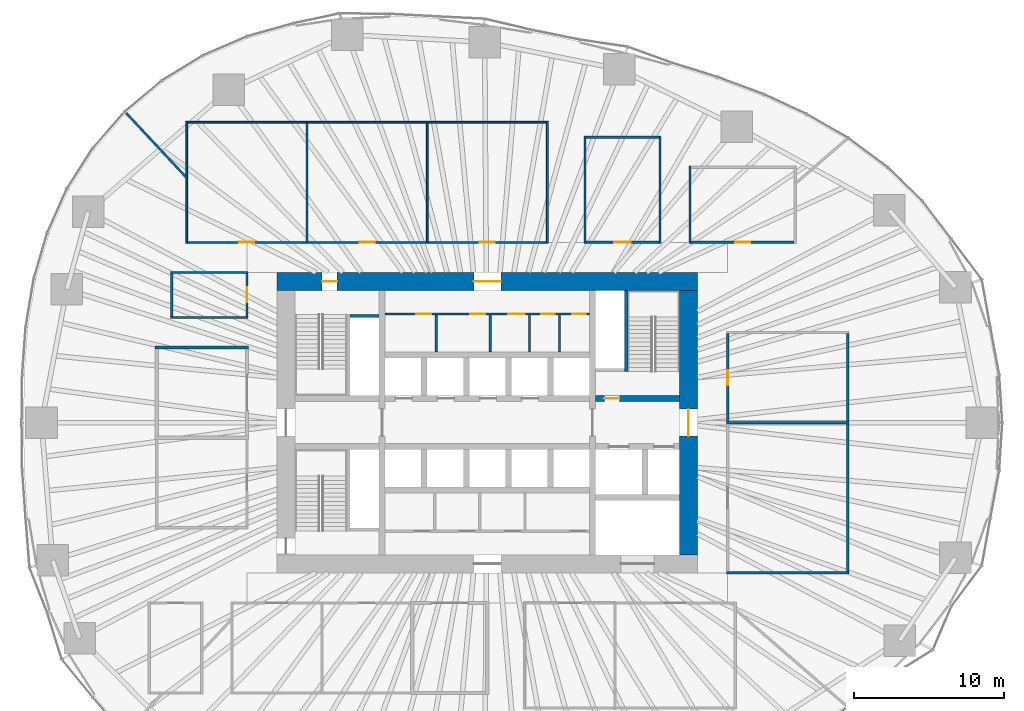
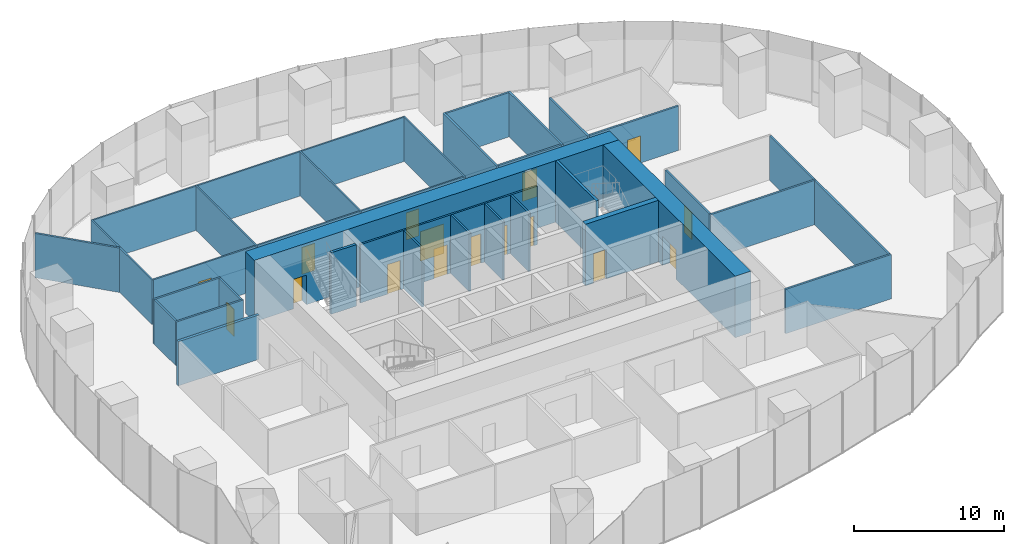
# One storey, part 11 of 20: 37 walls, 16 doors, 16 openings.
"""IFC4 building model written with IfcOpenShell, lengths in metres."""

from ifc_helpers import new_model, si_unit, direction, frame, frame_2d, origin, place, context, subcontext, project, spatial, rectangle, extrude, material, layer, layer_set, type_object, element, fill, save


model = new_model("IFC4")

# Units and contexts
model_context = context("Model", 3, precision=1e-05, world=origin(), true_north=direction((0.0, 1.0)))
body_context = subcontext(model_context, "Body", "Model", "MODEL_VIEW")
ifc_project = project(units=[si_unit("LENGTHUNIT", "METRE"), si_unit("AREAUNIT", "SQUARE_METRE"), si_unit("VOLUMEUNIT", "CUBIC_METRE"), si_unit("PLANEANGLEUNIT", "RADIAN"), si_unit("MASSUNIT", "GRAM", prefix="KILO")], contexts=[model_context])

# Site, building, storey
site_placement = place(None, origin())
site = spatial("IfcSite", under=ifc_project, at=site_placement, CompositionType="ELEMENT")
building_placement = place(site_placement, origin())
building = spatial("IfcBuilding", under=site, at=building_placement, Name="Ghaith Harvest Tower", CompositionType="ELEMENT")
storey_placement = place(building_placement, frame((0.0, 0.0, 35.0)))
storey = spatial("IfcBuildingStorey", under=building, at=storey_placement, Name="L07", CompositionType="ELEMENT", Elevation=35.0)

# Wall
ifc_material_1 = material(Name="Concrete blockwork, 1-hour", Category="masonry")
ifc_layer_1 = layer(ifc_material_1, 0.215087890625)
ifc_layer_set_1 = layer_set([ifc_layer_1], Name="BLOCKWORK WALL 215")
wall_type_1 = type_object("IfcWallType", Name="BLOCKWORK WALL 215", PredefinedType="PARTITIONING", material=ifc_layer_set_1)
wall_1_placement = place(storey_placement, frame((-15.892578125, 5.0, 0.0), z_axis=(0.0, 0.0, 1.0), x_axis=(-1.0, 0.0, 0.0)))
element("IfcWall", 1, at=wall_1_placement, inside=storey, type_object=wall_type_1, Name="Partition L07 row W6 cross wall 3", PredefinedType="PARTITIONING", context=body_context, shape_type="SweptSolid", body=[
    extrude(rectangle(XDim=6.21484375, YDim=0.215087890625, at=frame_2d((3.107421875, 0.0))), origin(), (0.0, 0.0, 1.0), 3.60009765625),
])

# Wall, openings, doors
ifc_material_2 = material(Name="Concrete blockwork, fair-faced", Category="masonry")
ifc_layer_2 = layer(ifc_material_2, 0.139892578125)
ifc_layer_set_2 = layer_set([ifc_layer_2], Name="CORE PARTITION 140")
wall_type_2 = type_object("IfcWallType", Name="CORE PARTITION 140", PredefinedType="PARTITIONING", material=ifc_layer_set_2)
wall_2_placement = place(storey_placement, frame((-6.800048828125, 7.22998046875, 0.0), z_axis=(0.0, 0.0, 1.0), x_axis=(1.0, 0.0, 0.0)))
wall_2 = element("IfcWall", 2, at=wall_2_placement, inside=storey, type_object=wall_type_2, Name="Core partition L07", PredefinedType="PARTITIONING", context=body_context, shape_type="SweptSolid", body=[
    extrude(rectangle(XDim=13.60009765625, YDim=0.139892578125, at=frame_2d((6.800048828125, 0.0))), origin(), (0.0, 0.0, 1.0), 4.75),
])
opening_1_placement = place(wall_2_placement, frame((2.080078125, 0.0, 0.0)))
opening_1 = element("IfcOpeningElement", 3, at=opening_1_placement, cuts=wall_2, Name="Opening 07-008", PredefinedType="OPENING", context=body_context, shape_type="SweptSolid", body=[
    extrude(rectangle(XDim=1.0, YDim=2.39990234375, at=frame_2d((0.5, 1.199951171875))), frame((0.0, 0.080078125, 0.0), z_axis=(0.0, -1.0, 0.0), x_axis=(1.0, 0.0, 0.0)), (0.0, 0.0, 1.0), 0.159912109375),
])
opening_2_placement = place(wall_2_placement, frame((5.679931640625, 0.0, 0.0)))
opening_2 = element("IfcOpeningElement", 4, at=opening_2_placement, cuts=wall_2, Name="Opening 07-009", PredefinedType="OPENING", context=body_context, shape_type="SweptSolid", body=[
    extrude(rectangle(XDim=1.0, YDim=2.39990234375, at=frame_2d((0.5, 1.199951171875))), frame((0.0, 0.080078125, 0.0), z_axis=(0.0, -1.0, 0.0), x_axis=(1.0, 0.0, 0.0)), (0.0, 0.0, 1.0), 0.159912109375),
])
opening_3_placement = place(wall_2_placement, frame((8.179931640625, 0.0, 0.0)))
opening_3 = element("IfcOpeningElement", 5, at=opening_3_placement, cuts=wall_2, Name="Opening 07-010", PredefinedType="OPENING", context=body_context, shape_type="SweptSolid", body=[
    extrude(rectangle(XDim=1.10009765625, YDim=2.39990234375, at=frame_2d((0.550048828125, 1.199951171875))), frame((0.0, 0.080078125, 0.0), z_axis=(0.0, -1.0, 0.0), x_axis=(1.0, 0.0, 0.0)), (0.0, 0.0, 1.0), 0.159912109375),
])
opening_4_placement = place(wall_2_placement, frame((10.3798828125, 0.0, 0.0)))
opening_4 = element("IfcOpeningElement", 6, at=opening_4_placement, cuts=wall_2, Name="Opening 07-011", PredefinedType="OPENING", context=body_context, shape_type="SweptSolid", body=[
    extrude(rectangle(XDim=0.89990234375, YDim=2.39990234375, at=frame_2d((0.449951171875, 1.199951171875))), frame((0.0, 0.080078125, 0.0), z_axis=(0.0, -1.0, 0.0), x_axis=(1.0, 0.0, 0.0)), (0.0, 0.0, 1.0), 0.159912109375),
])
opening_5_placement = place(wall_2_placement, frame((12.449951171875, 0.0, 0.0)))
opening_5 = element("IfcOpeningElement", 7, at=opening_5_placement, cuts=wall_2, Name="Opening 07-012", PredefinedType="OPENING", context=body_context, shape_type="SweptSolid", body=[
    extrude(rectangle(XDim=0.89990234375, YDim=2.39990234375, at=frame_2d((0.449951171875, 1.199951171875))), frame((0.0, 0.080078125, 0.0), z_axis=(0.0, -1.0, 0.0), x_axis=(1.0, 0.0, 0.0)), (0.0, 0.0, 1.0), 0.159912109375),
])
ifc_material_3 = material(Name="Steel fire door", Category="steel")
door_type_1 = type_object("IfcDoorType", Name="D3 FD90 1000x2400", OperationType="SINGLE_SWING_LEFT", PredefinedType="DOOR", material=ifc_material_3)
door_1_placement = place(opening_1_placement, origin())
door_1 = element("IfcDoor", 8, at=door_1_placement, inside=storey, type_object=door_type_1, Name="Male WC door", OperationType="SINGLE_SWING_LEFT", OverallHeight=2.39990234375, OverallWidth=1.0, PredefinedType="DOOR", context=body_context, shape_type="SweptSolid", body=[
    extrude(rectangle(XDim=1.0, YDim=2.39990234375, at=frame_2d((0.5, 1.199951171875))), frame((0.0, 0.02490234375, 0.0), z_axis=(0.0, -1.0, 0.0), x_axis=(1.0, 0.0, 0.0)), (0.0, 0.0, 1.0), 0.050048828125),
])
fill(opening_1, door_1)
door_2_placement = place(opening_2_placement, origin())
door_2 = element("IfcDoor", 9, at=door_2_placement, inside=storey, type_object=door_type_1, Name="Female WC door", OperationType="SINGLE_SWING_LEFT", OverallHeight=2.39990234375, OverallWidth=1.0, PredefinedType="DOOR", context=body_context, shape_type="SweptSolid", body=[
    extrude(rectangle(XDim=1.0, YDim=2.39990234375, at=frame_2d((0.5, 1.199951171875))), frame((0.0, 0.02490234375, 0.0), z_axis=(0.0, -1.0, 0.0), x_axis=(1.0, 0.0, 0.0)), (0.0, 0.0, 1.0), 0.050048828125),
])
fill(opening_2, door_2)
ifc_material_4 = material(Name="Steel fire door", Category="steel")
door_type_2 = type_object("IfcDoorType", Name="D5 FD90 900x2400", OperationType="SINGLE_SWING_LEFT", PredefinedType="DOOR", material=ifc_material_4)
door_3_placement = place(opening_4_placement, origin())
door_3 = element("IfcDoor", 10, at=door_3_placement, inside=storey, type_object=door_type_2, Name="Store door", OperationType="SINGLE_SWING_RIGHT", OverallHeight=2.39990234375, OverallWidth=0.89990234375, PredefinedType="DOOR", context=body_context, shape_type="SweptSolid", body=[
    extrude(rectangle(XDim=0.89990234375, YDim=2.39990234375, at=frame_2d((0.449951171875, 1.199951171875))), frame((0.0, 0.02490234375, 0.0), z_axis=(0.0, -1.0, 0.0), x_axis=(1.0, 0.0, 0.0)), (0.0, 0.0, 1.0), 0.050048828125),
])
fill(opening_4, door_3)
door_4_placement = place(opening_5_placement, origin())
door_4 = element("IfcDoor", 11, at=door_4_placement, inside=storey, type_object=door_type_2, Name="Cleaner's store door", OperationType="SINGLE_SWING_RIGHT", OverallHeight=2.39990234375, OverallWidth=0.89990234375, PredefinedType="DOOR", context=body_context, shape_type="SweptSolid", body=[
    extrude(rectangle(XDim=0.89990234375, YDim=2.39990234375, at=frame_2d((0.449951171875, 1.199951171875))), frame((0.0, 0.02490234375, 0.0), z_axis=(0.0, -1.0, 0.0), x_axis=(1.0, 0.0, 0.0)), (0.0, 0.0, 1.0), 0.050048828125),
])
fill(opening_5, door_4)
ifc_material_5 = material(Name="Steel fire door", Category="steel")
door_type_3 = type_object("IfcDoorType", Name="D9 FD90 1100x2400", OperationType="SINGLE_SWING_LEFT", PredefinedType="DOOR", material=ifc_material_5)
door_5_placement = place(opening_3_placement, origin())
door_5 = element("IfcDoor", 12, at=door_5_placement, inside=storey, type_object=door_type_3, Name="Accessible WC door", OperationType="SINGLE_SWING_RIGHT", OverallHeight=2.39990234375, OverallWidth=1.10009765625, PredefinedType="DOOR", context=body_context, shape_type="SweptSolid", body=[
    extrude(rectangle(XDim=1.10009765625, YDim=2.39990234375, at=frame_2d((0.550048828125, 1.199951171875))), frame((0.0, 0.02490234375, 0.0), z_axis=(0.0, -1.0, 0.0), x_axis=(1.0, 0.0, 0.0)), (0.0, 0.0, 1.0), 0.050048828125),
])
fill(opening_3, door_5)

# Walls
for number, where, z_axis, x_axis, name in (
    (13, (-3.39990234375, 4.699951171875, 0.0), (0.0, 0.0, 1.0), (0.0, 1.0, 0.0), "Core partition L07"),
    (14, (0.199951171875, 4.699951171875, 0.0), (0.0, 0.0, 1.0), (0.0, 1.0, 0.0), "Core partition L07"),
    (15, (2.800048828125, 4.699951171875, 0.0), (0.0, 0.0, 1.0), (0.0, 1.0, 0.0), "Core partition L07"),
    (16, (4.800048828125, 4.699951171875, 0.0), (0.0, 0.0, 1.0), (0.0, 1.0, 0.0), "Core partition L07"),
):
    element("IfcWall", number, at=place(storey_placement, frame(where, z_axis=z_axis, x_axis=x_axis)), inside=storey, type_object=wall_type_2, Name=name, PredefinedType="PARTITIONING", context=body_context, shape_type="SweptSolid", body=[
        extrude(rectangle(XDim=2.4599609375, YDim=0.139892578125, at=frame_2d((1.22998046875, 0.0))), origin(), (0.0, 0.0, 1.0), 4.75),
    ])

# Wall, openings, doors
ifc_material_6 = material(Name="Concrete C70/85", Category="concrete")
ifc_layer_3 = layer(ifc_material_6, 1.199951171875)
ifc_layer_set_3 = layer_set([ifc_layer_3], Name="CORE WALL CW1200")
wall_type_3 = type_object("IfcWallType", Name="CORE WALL CW1200", PredefinedType="SHEAR", material=ifc_layer_set_3)
wall_3_placement = place(storey_placement, frame((14.0, 9.39990234375, 0.0), z_axis=(0.0, 0.0, 1.0), x_axis=(-1.0, 0.0, 0.0)))
wall_3 = element("IfcWall", 17, at=wall_3_placement, inside=storey, type_object=wall_type_3, Name="Core wall N L07", PredefinedType="SHEAR", context=body_context, shape_type="SweptSolid", body=[
    extrude(rectangle(XDim=28.0, YDim=1.199951171875, at=frame_2d((14.0, 0.0))), origin(), (0.0, 0.0, 1.0), 5.0),
])
opening_6_placement = place(wall_3_placement, frame((24.0, 0.0, 0.0)))
opening_6 = element("IfcOpeningElement", 18, at=opening_6_placement, cuts=wall_3, Name="Opening 07-005", PredefinedType="OPENING", context=body_context, shape_type="SweptSolid", body=[
    extrude(rectangle(XDim=1.0, YDim=2.39990234375, at=frame_2d((0.5, 1.199951171875))), frame((0.0, 0.60986328125, 0.0), z_axis=(0.0, -1.0, 0.0), x_axis=(1.0, 0.0, 0.0)), (0.0, 0.0, 1.0), 1.219970703125),
])
opening_7_placement = place(wall_3_placement, frame((13.10009765625, 0.0, 0.0)))
opening_7 = element("IfcOpeningElement", 19, at=opening_7_placement, cuts=wall_3, Name="Opening 07-017", PredefinedType="OPENING", context=body_context, shape_type="SweptSolid", body=[
    extrude(rectangle(XDim=1.800048828125, YDim=2.39990234375, at=frame_2d((0.89990234375, 1.199951171875))), frame((0.0, 0.60986328125, 0.0), z_axis=(0.0, -1.0, 0.0), x_axis=(1.0, 0.0, 0.0)), (0.0, 0.0, 1.0), 1.219970703125),
])
door_6_placement = place(opening_6_placement, origin())
door_6 = element("IfcDoor", 20, at=door_6_placement, inside=storey, type_object=door_type_1, Name="Stair ST1 door", OperationType="SINGLE_SWING_RIGHT", OverallHeight=2.39990234375, OverallWidth=1.0, PredefinedType="DOOR", context=body_context, shape_type="SweptSolid", body=[
    extrude(rectangle(XDim=1.0, YDim=2.39990234375, at=frame_2d((0.5, 1.199951171875))), frame((0.0, 0.02490234375, 0.0), z_axis=(0.0, -1.0, 0.0), x_axis=(1.0, 0.0, 0.0)), (0.0, 0.0, 1.0), 0.050048828125),
])
fill(opening_6, door_6)
ifc_material_7 = material(Name="Steel fire door", Category="steel")
door_type_4 = type_object("IfcDoorType", Name="D4 FD90 PAIR 1800x2400", OperationType="DOUBLE_DOOR_SINGLE_SWING", PredefinedType="DOOR", material=ifc_material_7)
door_7_placement = place(opening_7_placement, origin())
door_7 = element("IfcDoor", 21, at=door_7_placement, inside=storey, type_object=door_type_4, Name="Core service corridor doors", OperationType="DOUBLE_DOOR_SINGLE_SWING", OverallHeight=2.39990234375, OverallWidth=1.800048828125, PredefinedType="DOOR", context=body_context, shape_type="SweptSolid", body=[
    extrude(rectangle(XDim=1.800048828125, YDim=2.39990234375, at=frame_2d((0.89990234375, 1.199951171875))), frame((0.0, 0.02490234375, 0.0), z_axis=(0.0, -1.0, 0.0), x_axis=(1.0, 0.0, 0.0)), (0.0, 0.0, 1.0), 0.050048828125),
])
fill(opening_7, door_7)

# Wall, opening, door
wall_4_placement = place(storey_placement, frame((13.39990234375, -8.800048828125, 0.0), z_axis=(0.0, 0.0, 1.0), x_axis=(0.0, 1.0, 0.0)))
wall_4 = element("IfcWall", 22, at=wall_4_placement, inside=storey, type_object=wall_type_3, Name="Core wall E L07", PredefinedType="SHEAR", context=body_context, shape_type="SweptSolid", body=[
    extrude(rectangle(XDim=17.60009765625, YDim=1.199951171875, at=frame_2d((8.800048828125, 0.0))), origin(), (0.0, 0.0, 1.0), 5.0),
])
opening_8_placement = place(wall_4_placement, frame((7.89990234375, 0.0, 0.0)))
opening_8 = element("IfcOpeningElement", 23, at=opening_8_placement, cuts=wall_4, Name="Opening 07-002", PredefinedType="OPENING", context=body_context, shape_type="SweptSolid", body=[
    extrude(rectangle(XDim=1.800048828125, YDim=2.39990234375, at=frame_2d((0.89990234375, 1.199951171875))), frame((0.0, 0.60986328125, 0.0), z_axis=(0.0, -1.0, 0.0), x_axis=(1.0, 0.0, 0.0)), (0.0, 0.0, 1.0), 1.219970703125),
])
door_8_placement = place(opening_8_placement, origin())
door_8 = element("IfcDoor", 24, at=door_8_placement, inside=storey, type_object=door_type_4, Name="Fire-fighting lobby doors", OperationType="DOUBLE_DOOR_SINGLE_SWING", OverallHeight=2.39990234375, OverallWidth=1.800048828125, PredefinedType="DOOR", context=body_context, shape_type="SweptSolid", body=[
    extrude(rectangle(XDim=1.800048828125, YDim=2.39990234375, at=frame_2d((0.89990234375, 1.199951171875))), frame((0.0, 0.02490234375, 0.0), z_axis=(0.0, -1.0, 0.0), x_axis=(1.0, 0.0, 0.0)), (0.0, 0.0, 1.0), 0.050048828125),
])
fill(opening_8, door_8)

# Walls
ifc_material_8 = material(Name="Insulated food-grade panel", Category="steel")
ifc_layer_4 = layer(ifc_material_8, 0.1201171875)
ifc_layer_set_4 = layer_set([ifc_layer_4], Name="INSULATED PANEL WALL 120")
wall_type_4 = type_object("IfcWallType", Name="INSULATED PANEL WALL 120", PredefinedType="PARTITIONING", material=ifc_layer_set_4)
for number, where, z_axis, x_axis, name in (
    (25, (-20.0, 11.93994140625, 0.0), (0.0, 0.0, 1.0), (0.0, 1.0, 0.0), "Partition L07 row N1 cross wall 1"),
    (26, (-12.0, 11.93994140625, 0.0), (0.0, 0.0, 1.0), (0.0, 1.0, 0.0), "Partition L07 row N1 cross wall 2"),
    (27, (-4.0, 11.93994140625, 0.0), (0.0, 0.0, 1.0), (0.0, 1.0, 0.0), "Partition L07 row N1 cross wall 3"),
    (28, (4.0, 11.93994140625, 0.0), (0.0, 0.0, 1.0), (0.0, 1.0, 0.0), "Partition L07 row N1 cross wall 4"),
):
    element("IfcWall", number, at=place(storey_placement, frame(where, z_axis=z_axis, x_axis=x_axis)), inside=storey, type_object=wall_type_4, Name=name, PredefinedType="PARTITIONING", context=body_context, shape_type="SweptSolid", body=[
        extrude(rectangle(XDim=8.1201171875, YDim=0.1201171875, at=frame_2d((4.06005859375, 0.0))), origin(), (0.0, 0.0, 1.0), 3.60009765625),
    ])

# Wall, opening, door
wall_5_placement = place(storey_placement, frame((-19.93994140625, 12.0, 0.0), z_axis=(0.0, 0.0, 1.0), x_axis=(1.0, 0.0, 0.0)))
wall_5 = element("IfcWall", 29, at=wall_5_placement, inside=storey, type_object=wall_type_4, Name="Partition L07-01", PredefinedType="PARTITIONING", context=body_context, shape_type="SweptSolid", body=[
    extrude(rectangle(XDim=7.8798828125, YDim=0.1201171875, at=frame_2d((3.93994140625, 0.0))), origin(), (0.0, 0.0, 1.0), 3.60009765625),
])
opening_9_placement = place(wall_5_placement, frame((3.43994140625, 0.0, 0.0)))
opening_9 = element("IfcOpeningElement", 30, at=opening_9_placement, cuts=wall_5, Name="Opening 07-026", PredefinedType="OPENING", context=body_context, shape_type="SweptSolid", body=[
    extrude(rectangle(XDim=1.0, YDim=2.199951171875, at=frame_2d((0.5, 1.10009765625))), frame((0.0, 0.070068359375, 0.0), z_axis=(0.0, -1.0, 0.0), x_axis=(1.0, 0.0, 0.0)), (0.0, 0.0, 1.0), 0.14013671875),
])
ifc_material_9 = material(Name="Timber door", Category="wood")
door_type_5 = type_object("IfcDoorType", Name="D1 SINGLE 1000x2200", OperationType="SINGLE_SWING_LEFT", PredefinedType="DOOR", material=ifc_material_9)
door_9_placement = place(opening_9_placement, origin())
door_9 = element("IfcDoor", 31, at=door_9_placement, inside=storey, type_object=door_type_5, Name="Propagation room door", OperationType="SINGLE_SWING_LEFT", OverallHeight=2.199951171875, OverallWidth=1.0, PredefinedType="DOOR", context=body_context, shape_type="SweptSolid", body=[
    extrude(rectangle(XDim=1.0, YDim=2.199951171875, at=frame_2d((0.5, 1.10009765625))), frame((0.0, 0.02490234375, 0.0), z_axis=(0.0, -1.0, 0.0), x_axis=(1.0, 0.0, 0.0)), (0.0, 0.0, 1.0), 0.050048828125),
])
fill(opening_9, door_9)

# Wall
wall_6_placement = place(storey_placement, frame((-19.93994140625, 20.0, 0.0), z_axis=(0.0, 0.0, 1.0), x_axis=(1.0, 0.0, 0.0)))
element("IfcWall", 32, at=wall_6_placement, inside=storey, type_object=wall_type_4, Name="Partition L07-01", PredefinedType="PARTITIONING", context=body_context, shape_type="SweptSolid", body=[
    extrude(rectangle(XDim=7.8798828125, YDim=0.1201171875, at=frame_2d((3.93994140625, 0.0))), origin(), (0.0, 0.0, 1.0), 3.60009765625),
])

# Wall, opening, door
wall_7_placement = place(storey_placement, frame((-11.93994140625, 12.0, 0.0), z_axis=(0.0, 0.0, 1.0), x_axis=(1.0, 0.0, 0.0)))
wall_7 = element("IfcWall", 33, at=wall_7_placement, inside=storey, type_object=wall_type_4, Name="Partition L07-02", PredefinedType="PARTITIONING", context=body_context, shape_type="SweptSolid", body=[
    extrude(rectangle(XDim=7.8798828125, YDim=0.1201171875, at=frame_2d((3.93994140625, 0.0))), origin(), (0.0, 0.0, 1.0), 3.60009765625),
])
opening_10_placement = place(wall_7_placement, frame((3.43994140625, 0.0, 0.0)))
opening_10 = element("IfcOpeningElement", 34, at=opening_10_placement, cuts=wall_7, Name="Opening 07-027", PredefinedType="OPENING", context=body_context, shape_type="SweptSolid", body=[
    extrude(rectangle(XDim=1.0, YDim=2.199951171875, at=frame_2d((0.5, 1.10009765625))), frame((0.0, 0.070068359375, 0.0), z_axis=(0.0, -1.0, 0.0), x_axis=(1.0, 0.0, 0.0)), (0.0, 0.0, 1.0), 0.14013671875),
])
door_10_placement = place(opening_10_placement, origin())
door_10 = element("IfcDoor", 35, at=door_10_placement, inside=storey, type_object=door_type_5, Name="Propagation room door", OperationType="SINGLE_SWING_LEFT", OverallHeight=2.199951171875, OverallWidth=1.0, PredefinedType="DOOR", context=body_context, shape_type="SweptSolid", body=[
    extrude(rectangle(XDim=1.0, YDim=2.199951171875, at=frame_2d((0.5, 1.10009765625))), frame((0.0, 0.02490234375, 0.0), z_axis=(0.0, -1.0, 0.0), x_axis=(1.0, 0.0, 0.0)), (0.0, 0.0, 1.0), 0.050048828125),
])
fill(opening_10, door_10)

# Wall
wall_8_placement = place(storey_placement, frame((-11.93994140625, 20.0, 0.0), z_axis=(0.0, 0.0, 1.0), x_axis=(1.0, 0.0, 0.0)))
element("IfcWall", 36, at=wall_8_placement, inside=storey, type_object=wall_type_4, Name="Partition L07-02", PredefinedType="PARTITIONING", context=body_context, shape_type="SweptSolid", body=[
    extrude(rectangle(XDim=7.8798828125, YDim=0.1201171875, at=frame_2d((3.93994140625, 0.0))), origin(), (0.0, 0.0, 1.0), 3.60009765625),
])

# Wall, opening, door
wall_9_placement = place(storey_placement, frame((-3.93994140625, 12.0, 0.0), z_axis=(0.0, 0.0, 1.0), x_axis=(1.0, 0.0, 0.0)))
wall_9 = element("IfcWall", 37, at=wall_9_placement, inside=storey, type_object=wall_type_4, Name="Partition L07-03", PredefinedType="PARTITIONING", context=body_context, shape_type="SweptSolid", body=[
    extrude(rectangle(XDim=7.8798828125, YDim=0.1201171875, at=frame_2d((3.93994140625, 0.0))), origin(), (0.0, 0.0, 1.0), 3.60009765625),
])
opening_11_placement = place(wall_9_placement, frame((3.43994140625, 0.0, 0.0)))
opening_11 = element("IfcOpeningElement", 38, at=opening_11_placement, cuts=wall_9, Name="Opening 07-028", PredefinedType="OPENING", context=body_context, shape_type="SweptSolid", body=[
    extrude(rectangle(XDim=1.0, YDim=2.199951171875, at=frame_2d((0.5, 1.10009765625))), frame((0.0, 0.070068359375, 0.0), z_axis=(0.0, -1.0, 0.0), x_axis=(1.0, 0.0, 0.0)), (0.0, 0.0, 1.0), 0.14013671875),
])
door_11_placement = place(opening_11_placement, origin())
door_11 = element("IfcDoor", 39, at=door_11_placement, inside=storey, type_object=door_type_5, Name="Propagation room door", OperationType="SINGLE_SWING_LEFT", OverallHeight=2.199951171875, OverallWidth=1.0, PredefinedType="DOOR", context=body_context, shape_type="SweptSolid", body=[
    extrude(rectangle(XDim=1.0, YDim=2.199951171875, at=frame_2d((0.5, 1.10009765625))), frame((0.0, 0.02490234375, 0.0), z_axis=(0.0, -1.0, 0.0), x_axis=(1.0, 0.0, 0.0)), (0.0, 0.0, 1.0), 0.050048828125),
])
fill(opening_11, door_11)

# Walls
wall_10_placement = place(storey_placement, frame((-3.93994140625, 20.0, 0.0), z_axis=(0.0, 0.0, 1.0), x_axis=(1.0, 0.0, 0.0)))
element("IfcWall", 40, at=wall_10_placement, inside=storey, type_object=wall_type_4, Name="Partition L07-03", PredefinedType="PARTITIONING", context=body_context, shape_type="SweptSolid", body=[
    extrude(rectangle(XDim=7.8798828125, YDim=0.1201171875, at=frame_2d((3.93994140625, 0.0))), origin(), (0.0, 0.0, 1.0), 3.60009765625),
])
ifc_material_10 = material(Name="Gypsum board on steel studs", Category="steel")
ifc_layer_5 = layer(ifc_material_10, 0.14990234375)
ifc_layer_set_5 = layer_set([ifc_layer_5], Name="PARTITION 150")
wall_type_5 = type_object("IfcWallType", Name="PARTITION 150", PredefinedType="PARTITIONING", material=ifc_layer_set_5)
for number, where, z_axis, x_axis, name in (
    (41, (6.5, 11.925048828125, 0.0), (0.0, 0.0, 1.0), (0.0, 1.0, 0.0), "Partition L07 row N2 cross wall 1"),
    (42, (11.5, 11.925048828125, 0.0), (0.0, 0.0, 1.0), (0.0, 1.0, 0.0), "Partition L07 row N2 cross wall 2"),
):
    element("IfcWall", number, at=place(storey_placement, frame(where, z_axis=z_axis, x_axis=x_axis)), inside=storey, type_object=wall_type_5, Name=name, PredefinedType="PARTITIONING", context=body_context, shape_type="SweptSolid", body=[
        extrude(rectangle(XDim=7.14990234375, YDim=0.14990234375, at=frame_2d((3.574951171875, 0.0))), origin(), (0.0, 0.0, 1.0), 3.60009765625),
    ])

# Wall, opening, door
wall_11_placement = place(storey_placement, frame((6.574951171875, 12.0, 0.0), z_axis=(0.0, 0.0, 1.0), x_axis=(1.0, 0.0, 0.0)))
wall_11 = element("IfcWall", 43, at=wall_11_placement, inside=storey, type_object=wall_type_5, Name="Partition L07-04", PredefinedType="PARTITIONING", context=body_context, shape_type="SweptSolid", body=[
    extrude(rectangle(XDim=4.85009765625, YDim=0.14990234375, at=frame_2d((2.425048828125, 0.0))), origin(), (0.0, 0.0, 1.0), 3.60009765625),
])
opening_12_placement = place(wall_11_placement, frame((1.875, 0.0, 0.0)))
opening_12 = element("IfcOpeningElement", 44, at=opening_12_placement, cuts=wall_11, Name="Opening 07-029", PredefinedType="OPENING", context=body_context, shape_type="SweptSolid", body=[
    extrude(rectangle(XDim=1.10009765625, YDim=2.300048828125, at=frame_2d((0.550048828125, 1.14990234375))), frame((0.0, 0.0849609375, 0.0), z_axis=(0.0, -1.0, 0.0), x_axis=(1.0, 0.0, 0.0)), (0.0, 0.0, 1.0), 0.169921875),
])
ifc_material_11 = material(Name="Timber-framed glazed door", Category="wood")
door_type_6 = type_object("IfcDoorType", Name="D12 GLAZED OFFICE 1100x2300", OperationType="SINGLE_SWING_LEFT", PredefinedType="DOOR", material=ifc_material_11)
door_12_placement = place(opening_12_placement, origin())
door_12 = element("IfcDoor", 45, at=door_12_placement, inside=storey, type_object=door_type_6, Name="Growing office door", OperationType="SINGLE_SWING_LEFT", OverallHeight=2.300048828125, OverallWidth=1.10009765625, PredefinedType="DOOR", context=body_context, shape_type="SweptSolid", body=[
    extrude(rectangle(XDim=1.10009765625, YDim=2.300048828125, at=frame_2d((0.550048828125, 1.14990234375))), frame((0.0, 0.02490234375, 0.0), z_axis=(0.0, -1.0, 0.0), x_axis=(1.0, 0.0, 0.0)), (0.0, 0.0, 1.0), 0.050048828125),
])
fill(opening_12, door_12)

# Walls
wall_12_placement = place(storey_placement, frame((6.574951171875, 19.0, 0.0), z_axis=(0.0, 0.0, 1.0), x_axis=(1.0, 0.0, 0.0)))
element("IfcWall", 46, at=wall_12_placement, inside=storey, type_object=wall_type_5, Name="Partition L07-04", PredefinedType="PARTITIONING", context=body_context, shape_type="SweptSolid", body=[
    extrude(rectangle(XDim=4.85009765625, YDim=0.14990234375, at=frame_2d((2.425048828125, 0.0))), origin(), (0.0, 0.0, 1.0), 3.60009765625),
])
for number, where, z_axis, x_axis, name in (
    (47, (15.925048828125, -10.0, 0.0), (0.0, 0.0, 1.0), (1.0, 0.0, 0.0), "Partition L07 row E3 cross wall 1"),
    (48, (15.925048828125, 0.0, 0.0), (0.0, 0.0, 1.0), (1.0, 0.0, 0.0), "Partition L07 row E3 cross wall 2"),
):
    element("IfcWall", number, at=place(storey_placement, frame(where, z_axis=z_axis, x_axis=x_axis)), inside=storey, type_object=wall_type_5, Name=name, PredefinedType="PARTITIONING", context=body_context, shape_type="SweptSolid", body=[
        extrude(rectangle(XDim=8.14990234375, YDim=0.14990234375, at=frame_2d((4.074951171875, 0.0))), origin(), (0.0, 0.0, 1.0), 3.60009765625),
    ])
wall_13_placement = place(storey_placement, frame((24.0, -9.925048828125, 0.0), z_axis=(0.0, 0.0, 1.0), x_axis=(0.0, 1.0, 0.0)))
element("IfcWall", 49, at=wall_13_placement, inside=storey, type_object=wall_type_5, Name="Partition L07-05", PredefinedType="PARTITIONING", context=body_context, shape_type="SweptSolid", body=[
    extrude(rectangle(XDim=9.85009765625, YDim=0.14990234375, at=frame_2d((4.925048828125, 0.0))), origin(), (0.0, 0.0, 1.0), 3.60009765625),
])

# Wall, opening, door
wall_14_placement = place(storey_placement, frame((16.0, 0.074951171875, 0.0), z_axis=(0.0, 0.0, 1.0), x_axis=(0.0, 1.0, 0.0)))
wall_14 = element("IfcWall", 50, at=wall_14_placement, inside=storey, type_object=wall_type_5, Name="Partition L07-06", PredefinedType="PARTITIONING", context=body_context, shape_type="SweptSolid", body=[
    extrude(rectangle(XDim=5.85009765625, YDim=0.14990234375, at=frame_2d((2.925048828125, 0.0))), origin(), (0.0, 0.0, 1.0), 3.60009765625),
])
opening_13_placement = place(wall_14_placement, frame((2.425048828125, 0.0, 0.0)))
opening_13 = element("IfcOpeningElement", 51, at=opening_13_placement, cuts=wall_14, Name="Opening 07-031", PredefinedType="OPENING", context=body_context, shape_type="SweptSolid", body=[
    extrude(rectangle(XDim=1.0, YDim=2.199951171875, at=frame_2d((0.5, 1.10009765625))), frame((0.0, 0.0849609375, 0.0), z_axis=(0.0, -1.0, 0.0), x_axis=(1.0, 0.0, 0.0)), (0.0, 0.0, 1.0), 0.169921875),
])
door_13_placement = place(opening_13_placement, origin())
door_13 = element("IfcDoor", 52, at=door_13_placement, inside=storey, type_object=door_type_5, Name="Seedling store door", OperationType="SINGLE_SWING_LEFT", OverallHeight=2.199951171875, OverallWidth=1.0, PredefinedType="DOOR", context=body_context, shape_type="SweptSolid", body=[
    extrude(rectangle(XDim=1.0, YDim=2.199951171875, at=frame_2d((0.5, 1.10009765625))), frame((0.0, 0.02490234375, 0.0), z_axis=(0.0, -1.0, 0.0), x_axis=(1.0, 0.0, 0.0)), (0.0, 0.0, 1.0), 0.050048828125),
])
fill(opening_13, door_13)

# Walls
wall_15_placement = place(storey_placement, frame((24.0, 0.074951171875, 0.0), z_axis=(0.0, 0.0, 1.0), x_axis=(0.0, 1.0, 0.0)))
element("IfcWall", 53, at=wall_15_placement, inside=storey, type_object=wall_type_5, Name="Partition L07-06", PredefinedType="PARTITIONING", context=body_context, shape_type="SweptSolid", body=[
    extrude(rectangle(XDim=5.85009765625, YDim=0.14990234375, at=frame_2d((2.925048828125, 0.0))), origin(), (0.0, 0.0, 1.0), 3.60009765625),
])
wall_16_placement = place(storey_placement, frame((13.5, 11.925048828125, 0.0), z_axis=(0.0, 0.0, 1.0), x_axis=(0.0, 1.0, 0.0)))
element("IfcWall", 54, at=wall_16_placement, inside=storey, type_object=wall_type_5, Name="Partition L07 row N7 cross wall 1", PredefinedType="PARTITIONING", context=body_context, shape_type="SweptSolid", body=[
    extrude(rectangle(XDim=5.14990234375, YDim=0.14990234375, at=frame_2d((2.574951171875, 0.0))), origin(), (0.0, 0.0, 1.0), 3.60009765625),
])

# Wall, opening, door
wall_17_placement = place(storey_placement, frame((13.574951171875, 12.0, 0.0), z_axis=(0.0, 0.0, 1.0), x_axis=(1.0, 0.0, 0.0)))
wall_17 = element("IfcWall", 55, at=wall_17_placement, inside=storey, type_object=wall_type_5, Name="Partition L07-14", PredefinedType="PARTITIONING", context=body_context, shape_type="SweptSolid", body=[
    extrude(rectangle(XDim=6.85009765625, YDim=0.14990234375, at=frame_2d((3.425048828125, 0.0))), origin(), (0.0, 0.0, 1.0), 3.60009765625),
])
opening_14_placement = place(wall_17_placement, frame((2.925048828125, 0.0, 0.0)))
opening_14 = element("IfcOpeningElement", 56, at=opening_14_placement, cuts=wall_17, Name="Opening 07-039", PredefinedType="OPENING", context=body_context, shape_type="SweptSolid", body=[
    extrude(rectangle(XDim=1.0, YDim=2.199951171875, at=frame_2d((0.5, 1.10009765625))), frame((0.0, 0.0849609375, 0.0), z_axis=(0.0, -1.0, 0.0), x_axis=(1.0, 0.0, 0.0)), (0.0, 0.0, 1.0), 0.169921875),
])
door_14_placement = place(opening_14_placement, origin())
door_14 = element("IfcDoor", 57, at=door_14_placement, inside=storey, type_object=door_type_5, Name="Seed sowing room door", OperationType="SINGLE_SWING_LEFT", OverallHeight=2.199951171875, OverallWidth=1.0, PredefinedType="DOOR", context=body_context, shape_type="SweptSolid", body=[
    extrude(rectangle(XDim=1.0, YDim=2.199951171875, at=frame_2d((0.5, 1.10009765625))), frame((0.0, 0.02490234375, 0.0), z_axis=(0.0, -1.0, 0.0), x_axis=(1.0, 0.0, 0.0)), (0.0, 0.0, 1.0), 0.050048828125),
])
fill(opening_14, door_14)

# Walls
for number, where, z_axis, x_axis, name in (
    (58, (-15.925048828125, 7.0, 0.0), (0.0, 0.0, 1.0), (-1.0, 0.0, 0.0), "Partition L07 row W9 cross wall 1"),
    (59, (-15.925048828125, 10.0, 0.0), (0.0, 0.0, 1.0), (-1.0, 0.0, 0.0), "Partition L07 row W9 cross wall 2"),
):
    element("IfcWall", number, at=place(storey_placement, frame(where, z_axis=z_axis, x_axis=x_axis)), inside=storey, type_object=wall_type_5, Name=name, PredefinedType="PARTITIONING", context=body_context, shape_type="SweptSolid", body=[
        extrude(rectangle(XDim=5.14990234375, YDim=0.14990234375, at=frame_2d((2.574951171875, 0.0))), origin(), (0.0, 0.0, 1.0), 3.60009765625),
    ])

# Wall, opening, door
wall_18_placement = place(storey_placement, frame((-16.0, 7.074951171875, 0.0), z_axis=(0.0, 0.0, 1.0), x_axis=(0.0, 1.0, 0.0)))
wall_18 = element("IfcWall", 60, at=wall_18_placement, inside=storey, type_object=wall_type_5, Name="Partition L07-16", PredefinedType="PARTITIONING", context=body_context, shape_type="SweptSolid", body=[
    extrude(rectangle(XDim=2.85009765625, YDim=0.14990234375, at=frame_2d((1.425048828125, 0.0))), origin(), (0.0, 0.0, 1.0), 3.60009765625),
])
opening_15_placement = place(wall_18_placement, frame((0.925048828125, 0.0, 0.0)))
opening_15 = element("IfcOpeningElement", 61, at=opening_15_placement, cuts=wall_18, Name="Opening 07-041", PredefinedType="OPENING", context=body_context, shape_type="SweptSolid", body=[
    extrude(rectangle(XDim=1.0, YDim=2.199951171875, at=frame_2d((0.5, 1.10009765625))), frame((0.0, 0.0849609375, 0.0), z_axis=(0.0, -1.0, 0.0), x_axis=(1.0, 0.0, 0.0)), (0.0, 0.0, 1.0), 0.169921875),
])
door_15_placement = place(opening_15_placement, origin())
door_15 = element("IfcDoor", 62, at=door_15_placement, inside=storey, type_object=door_type_5, Name="Store door", OperationType="SINGLE_SWING_LEFT", OverallHeight=2.199951171875, OverallWidth=1.0, PredefinedType="DOOR", context=body_context, shape_type="SweptSolid", body=[
    extrude(rectangle(XDim=1.0, YDim=2.199951171875, at=frame_2d((0.5, 1.10009765625))), frame((0.0, 0.02490234375, 0.0), z_axis=(0.0, -1.0, 0.0), x_axis=(1.0, 0.0, 0.0)), (0.0, 0.0, 1.0), 0.050048828125),
])
fill(opening_15, door_15)

# Walls
wall_19_placement = place(storey_placement, frame((-21.0, 7.074951171875, 0.0), z_axis=(0.0, 0.0, 1.0), x_axis=(0.0, 1.0, 0.0)))
element("IfcWall", 63, at=wall_19_placement, inside=storey, type_object=wall_type_5, Name="Partition L07-16", PredefinedType="PARTITIONING", context=body_context, shape_type="SweptSolid", body=[
    extrude(rectangle(XDim=2.85009765625, YDim=0.14990234375, at=frame_2d((1.425048828125, 0.0))), origin(), (0.0, 0.0, 1.0), 3.60009765625),
])
wall_20_placement = place(storey_placement, frame((-20.02001953125, 16.3046875, 0.0), z_axis=(0.0, 0.0, 1.0), x_axis=(-0.682516386928, 0.730870290527, 0.0)))
element("IfcWall", 64, at=wall_20_placement, inside=storey, type_object=wall_type_5, Name="Partition L07 zone division", PredefinedType="PARTITIONING", context=body_context, shape_type="SweptSolid", body=[
    extrude(rectangle(XDim=5.882080078125, YDim=0.14990234375, at=frame_2d((2.94091796875, 0.0))), origin(), (0.0, 0.0, 1.0), 3.60009765625),
])

# Wall, opening, door
ifc_material_12 = material(Name="Concrete C70/85", Category="concrete")
ifc_layer_6 = layer(ifc_material_12, 0.39990234375)
ifc_layer_set_6 = layer_set([ifc_layer_6], Name="SHAFT WALL 400")
wall_type_6 = type_object("IfcWallType", Name="SHAFT WALL 400", PredefinedType="SHEAR", material=ifc_layer_set_6)
wall_21_placement = place(storey_placement, frame((7.199951171875, 1.60009765625, 0.0), z_axis=(0.0, 0.0, 1.0), x_axis=(1.0, 0.0, 0.0)))
wall_21 = element("IfcWall", 65, at=wall_21_placement, inside=storey, type_object=wall_type_6, Name="Shaft wall EN L07", PredefinedType="SHEAR", context=body_context, shape_type="SweptSolid", body=[
    extrude(rectangle(XDim=5.60009765625, YDim=0.39990234375, at=frame_2d((2.800048828125, 0.0))), origin(), (0.0, 0.0, 1.0), 5.0),
])
opening_16_placement = place(wall_21_placement, frame((0.60009765625, 0.0, 0.0)))
opening_16 = element("IfcOpeningElement", 66, at=opening_16_placement, cuts=wall_21, Name="Opening 07-007", PredefinedType="OPENING", context=body_context, shape_type="SweptSolid", body=[
    extrude(rectangle(XDim=1.0, YDim=2.39990234375, at=frame_2d((0.5, 1.199951171875))), frame((0.0, 0.2099609375, 0.0), z_axis=(0.0, -1.0, 0.0), x_axis=(1.0, 0.0, 0.0)), (0.0, 0.0, 1.0), 0.419921875),
])
door_16_placement = place(opening_16_placement, origin())
door_16 = element("IfcDoor", 67, at=door_16_placement, inside=storey, type_object=door_type_1, Name="Stair ST2 door", OperationType="SINGLE_SWING_LEFT", OverallHeight=2.39990234375, OverallWidth=1.0, PredefinedType="DOOR", context=body_context, shape_type="SweptSolid", body=[
    extrude(rectangle(XDim=1.0, YDim=2.39990234375, at=frame_2d((0.5, 1.199951171875))), frame((0.0, 0.02490234375, 0.0), z_axis=(0.0, -1.0, 0.0), x_axis=(1.0, 0.0, 0.0)), (0.0, 0.0, 1.0), 0.050048828125),
])
fill(opening_16, door_16)

# Walls
ifc_material_13 = material(Name="Concrete C40/50", Category="concrete")
ifc_layer_7 = layer(ifc_material_13, 0.199951171875)
ifc_layer_set_7 = layer_set([ifc_layer_7], Name="STAIR SPINE WALL RC200")
wall_type_7 = type_object("IfcWallType", Name="STAIR SPINE WALL RC200", PredefinedType="SOLIDWALL", material=ifc_layer_set_7)
wall_22_placement = place(storey_placement, frame((-9.14990234375, 7.10009765625, 0.0), z_axis=(0.0, 0.0, 1.0), x_axis=(1.0, 0.0, 0.0)))
element("IfcWall", 68, at=wall_22_placement, inside=storey, type_object=wall_type_7, Name="Stair ST1 spine wall return L07", PredefinedType="SOLIDWALL", context=body_context, shape_type="SweptSolid", body=[
    extrude(rectangle(XDim=1.949951171875, YDim=0.199951171875, at=frame_2d((0.97509765625, 0.0))), origin(), (0.0, 0.0, 1.0), 5.0),
])
wall_23_placement = place(storey_placement, frame((9.25, 3.39990234375, 0.0), z_axis=(0.0, 0.0, 1.0), x_axis=(0.0, 1.0, 0.0)))
element("IfcWall", 69, at=wall_23_placement, inside=storey, type_object=wall_type_7, Name="Stair ST2 spine wall L07", PredefinedType="SOLIDWALL", context=body_context, shape_type="SweptSolid", body=[
    extrude(rectangle(XDim=5.400146484375, YDim=0.199951171875, at=frame_2d((2.7001953125, 0.0))), origin(), (0.0, 0.0, 1.0), 5.0),
])

save(model, "model.ifc")
